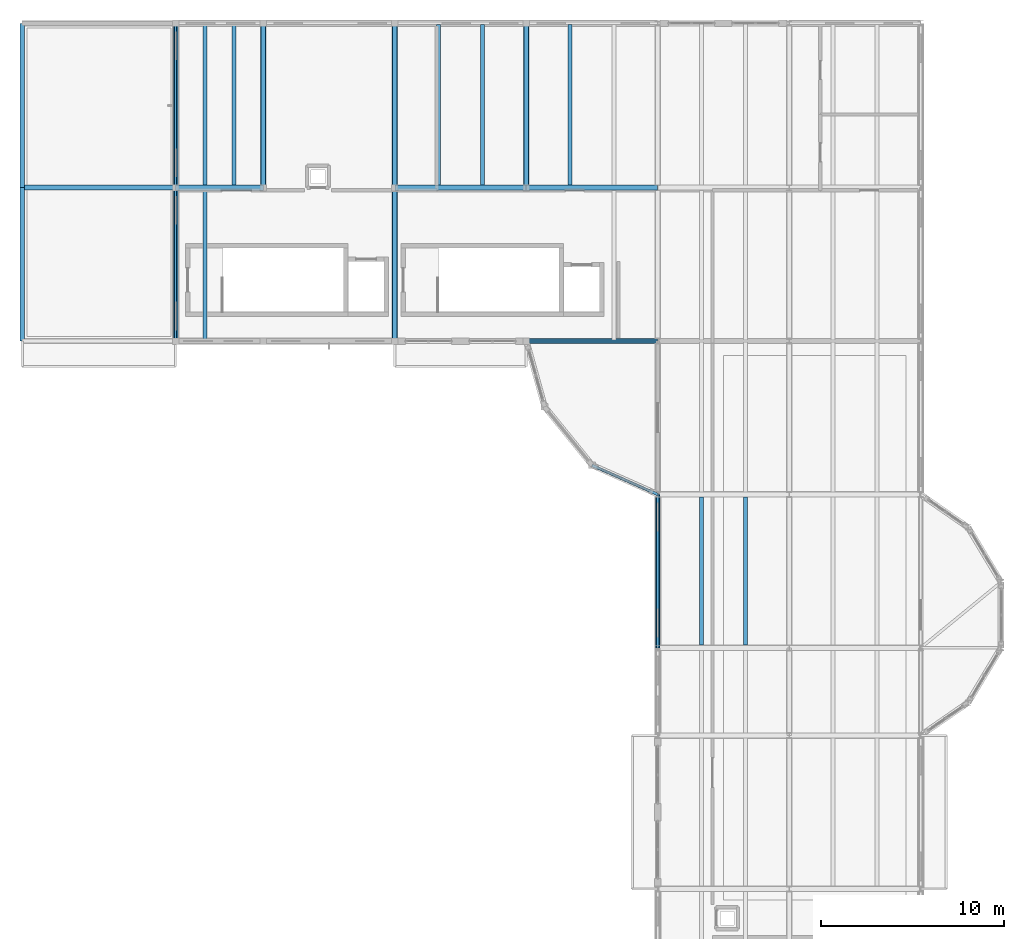
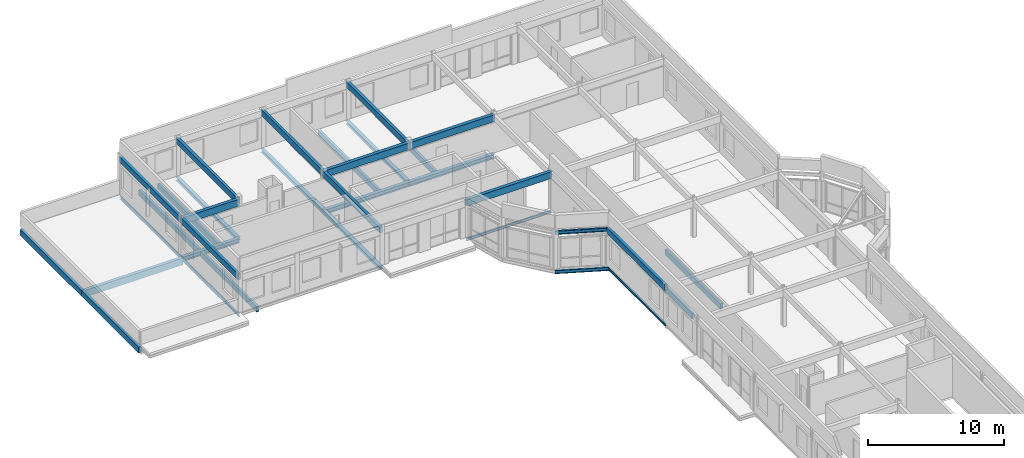
# One storey, part 10 of 21: 35 beams.
"""IFC4 building model written with IfcOpenShell, lengths in metres."""

from ifc_helpers import new_model, si_unit, direction, frame, origin, origin_2d, place, context, subcontext, project, spatial, rectangle, i_section, extrude, material, material_profile, profile_set, type_object, element, save


model = new_model("IFC4")

# Units and contexts
model_context = context("Model", 3, precision=1e-05, world=origin(), true_north=direction((0.0, 1.0)))
body_context = subcontext(model_context, "Body", "Model", "MODEL_VIEW")
ifc_project = project(units=[si_unit("LENGTHUNIT", "METRE"), si_unit("AREAUNIT", "SQUARE_METRE"), si_unit("VOLUMEUNIT", "CUBIC_METRE"), si_unit("PLANEANGLEUNIT", "RADIAN"), si_unit("MASSUNIT", "GRAM", prefix="KILO")], contexts=[model_context])

# Site, building, storey
site_placement = place(None, origin())
site = spatial("IfcSite", under=ifc_project, at=site_placement, CompositionType="ELEMENT")
building_placement = place(site_placement, origin())
building = spatial("IfcBuilding", under=site, at=building_placement, Name="Kahlenmark Community Centre", CompositionType="ELEMENT")
storey_placement = place(building_placement, frame((0.0, 0.0, 21.60009765625)))
storey = spatial("IfcBuildingStorey", under=building, at=storey_placement, Name="L05", CompositionType="ELEMENT", Elevation=21.60009765625)

# Beams
ifc_material_1 = material(Name="Glulam GL32h", Category="wood")
ifc_material_profile_1 = material_profile(ifc_material_1, rectangle(XDim=0.239990234375, YDim=0.52001953125, at=origin_2d()), Name="GL32h 240x520")
ifc_profile_set_1 = profile_set([ifc_material_profile_1], Name="Glulam GL32h")
beam_type_1 = type_object("IfcBeamType", Name="BT-BEAM-GL32h240x520", PredefinedType="BEAM", material=ifc_profile_set_1)
beam_1_placement = place(storey_placement, frame((37.60009765625, 97.60009765625, -0.5400390625), z_axis=(0.0, 1.0, 0.0), x_axis=(-1.0, 0.0, 0.0)))
element("IfcBeam", 1, at=beam_1_placement, inside=storey, type_object=beam_type_1, Name="L05 beam BG-RF520", PredefinedType="BEAM", context=body_context, shape_type="SweptSolid", body=[
    extrude(rectangle(XDim=0.239990234375, YDim=0.52001953125, at=origin_2d()), origin(), (0.0, 0.0, 1.0), 8.39990234375),
])
beam_2_placement = place(storey_placement, frame((37.60009765625, 106.0, -0.5400390625), z_axis=(0.0, 1.0, 0.0), x_axis=(-1.0, 0.0, 0.0)))
element("IfcBeam", 2, at=beam_2_placement, inside=storey, type_object=beam_type_1, Name="L05 beam BG-RF520", PredefinedType="BEAM", context=body_context, shape_type="SweptSolid", body=[
    extrude(rectangle(XDim=0.239990234375, YDim=0.52001953125, at=origin_2d()), origin(), (0.0, 0.0, 1.0), 9.0),
])
beam_3_placement = place(storey_placement, frame((46.0, 97.60009765625, 3.059814453125), z_axis=(0.0, 1.0, 0.0), x_axis=(-1.0, 0.0, 0.0)))
element("IfcBeam", 3, at=beam_3_placement, inside=storey, type_object=beam_type_1, Name="L05 beam BG-RF520", PredefinedType="BEAM", context=body_context, shape_type="SweptSolid", body=[
    extrude(rectangle(XDim=0.239990234375, YDim=0.52001953125, at=origin_2d()), origin(), (0.0, 0.0, 1.0), 8.39990234375),
])
for number, where, z_axis, x_axis, name in (
    (4, (46.0, 106.0, 3.059814453125), (0.0, 1.0, 0.0), (-1.0, 0.0, 0.0), "L05 beam BG-RF520"),
    (5, (50.800048828125, 106.0, 3.059814453125), (0.0, 1.0, 0.0), (-1.0, 0.0, 0.0), "L05 beam BG-RF520"),
):
    element("IfcBeam", number, at=place(storey_placement, frame(where, z_axis=z_axis, x_axis=x_axis)), inside=storey, type_object=beam_type_1, Name=name, PredefinedType="BEAM", context=body_context, shape_type="SweptSolid", body=[
        extrude(rectangle(XDim=0.239990234375, YDim=0.52001953125, at=origin_2d()), origin(), (0.0, 0.0, 1.0), 9.0),
    ])
beam_4_placement = place(storey_placement, frame((58.0, 97.60009765625, 3.059814453125), z_axis=(0.0, 1.0, 0.0), x_axis=(-1.0, 0.0, 0.0)))
element("IfcBeam", 6, at=beam_4_placement, inside=storey, type_object=beam_type_1, Name="L05 beam BG-RF520", PredefinedType="BEAM", context=body_context, shape_type="SweptSolid", body=[
    extrude(rectangle(XDim=0.239990234375, YDim=0.52001953125, at=origin_2d()), origin(), (0.0, 0.0, 1.0), 8.39990234375),
])
for number, where, z_axis, x_axis, name in (
    (7, (58.0, 106.0, 3.059814453125), (0.0, 1.0, 0.0), (-1.0, 0.0, 0.0), "L05 beam BG-RF520"),
    (8, (65.199951171875, 106.0, 3.059814453125), (0.0, 1.0, 0.0), (-1.0, 0.0, 0.0), "L05 beam BG-RF520"),
):
    element("IfcBeam", number, at=place(storey_placement, frame(where, z_axis=z_axis, x_axis=x_axis)), inside=storey, type_object=beam_type_1, Name=name, PredefinedType="BEAM", context=body_context, shape_type="SweptSolid", body=[
        extrude(rectangle(XDim=0.239990234375, YDim=0.52001953125, at=origin_2d()), origin(), (0.0, 0.0, 1.0), 9.0),
    ])
beam_5_placement = place(storey_placement, frame((72.39990234375, 80.800048828125, 3.059814453125), z_axis=(0.0, 1.0, 0.0), x_axis=(-1.0, 0.0, 0.0)))
element("IfcBeam", 9, at=beam_5_placement, inside=storey, type_object=beam_type_1, Name="L05 beam BG-RF520", PredefinedType="BEAM", context=body_context, shape_type="SweptSolid", body=[
    extrude(rectangle(XDim=0.239990234375, YDim=0.52001953125, at=origin_2d()), origin(), (0.0, 0.0, 1.0), 8.39990234375),
])
ifc_material_profile_2 = material_profile(ifc_material_1, rectangle(XDim=0.280029296875, YDim=0.60009765625, at=origin_2d()), Name="GL32h 280x600")
ifc_profile_set_2 = profile_set([ifc_material_profile_2], Name="Glulam GL32h")
beam_type_2 = type_object("IfcBeamType", Name="BT-BEAM-GL32h280x600", PredefinedType="BEAM", material=ifc_profile_set_2)
beam_6_placement = place(storey_placement, frame((37.60009765625, 106.0, -0.580078125), z_axis=(1.0, 0.0, 0.0), x_axis=(0.0, 1.0, 0.0)))
element("IfcBeam", 10, at=beam_6_placement, inside=storey, type_object=beam_type_2, Name="L05 beam BG-RF600", PredefinedType="BEAM", context=body_context, shape_type="SweptSolid", body=[
    extrude(rectangle(XDim=0.280029296875, YDim=0.60009765625, at=origin_2d()), origin(), (0.0, 0.0, 1.0), 8.39990234375),
])
beam_7_placement = place(storey_placement, frame((65.199951171875, 97.60009765625, 3.02001953125), z_axis=(1.0, 0.0, 0.0), x_axis=(0.0, 1.0, 0.0)))
element("IfcBeam", 11, at=beam_7_placement, inside=storey, type_object=beam_type_2, Name="L05 beam BG-RF600", PredefinedType="BEAM", context=body_context, shape_type="SweptSolid", body=[
    extrude(rectangle(XDim=0.280029296875, YDim=0.60009765625, at=origin_2d()), origin(), (0.0, 0.0, 1.0), 7.199951171875),
])
beam_8_placement = place(storey_placement, frame((46.0, 106.0, 3.02001953125), z_axis=(1.0, 0.0, 0.0), x_axis=(0.0, 1.0, 0.0)))
element("IfcBeam", 12, at=beam_8_placement, inside=storey, type_object=beam_type_2, Name="L05 beam BG-RF600", PredefinedType="BEAM", context=body_context, shape_type="SweptSolid", body=[
    extrude(rectangle(XDim=0.280029296875, YDim=0.60009765625, at=origin_2d()), origin(), (0.0, 0.0, 1.0), 4.800048828125),
])
for number, where, z_axis, x_axis, name in (
    (13, (58.0, 106.0, 3.02001953125), (1.0, 0.0, 0.0), (0.0, 1.0, 0.0), "L05 beam BG-RF600"),
    (14, (65.199951171875, 106.0, 3.02001953125), (1.0, 0.0, 0.0), (0.0, 1.0, 0.0), "L05 beam BG-RF600"),
):
    element("IfcBeam", number, at=place(storey_placement, frame(where, z_axis=z_axis, x_axis=x_axis)), inside=storey, type_object=beam_type_2, Name=name, PredefinedType="BEAM", context=body_context, shape_type="SweptSolid", body=[
        extrude(rectangle(XDim=0.280029296875, YDim=0.60009765625, at=origin_2d()), origin(), (0.0, 0.0, 1.0), 7.199951171875),
    ])
ifc_material_2 = material(Name="Steel S355", Category="steel")
ifc_material_profile_3 = material_profile(ifc_material_2, i_section(OverallWidth=0.300048828125, OverallDepth=0.2900390625, WebThickness=0.008544921875, FlangeThickness=0.013916015625, at=origin_2d()), Name="HEA 300")
ifc_profile_set_3 = profile_set([ifc_material_profile_3], Name="Steel S355")
beam_type_3 = type_object("IfcBeamType", Name="BT-BEAM-HEA300", PredefinedType="BEAM", material=ifc_profile_set_3)
beam_9_placement = place(storey_placement, frame((50.800048828125, 106.0, -0.34521484375), z_axis=(0.0, 1.0, 0.0), x_axis=(-1.0, 0.0, 0.0)))
element("IfcBeam", 15, at=beam_9_placement, inside=storey, type_object=beam_type_3, Name="L05 beam BG-HEA300", PredefinedType="BEAM", context=body_context, shape_type="SweptSolid", body=[
    extrude(i_section(OverallWidth=0.300048828125, OverallDepth=0.2900390625, WebThickness=0.008544921875, FlangeThickness=0.013916015625, at=origin_2d()), origin(), (0.0, 0.0, 1.0), 9.0),
])
beam_10_placement = place(storey_placement, frame((58.0, 97.60009765625, -0.34521484375), z_axis=(0.0, 1.0, 0.0), x_axis=(-1.0, 0.0, 0.0)))
element("IfcBeam", 16, at=beam_10_placement, inside=storey, type_object=beam_type_3, Name="L05 beam BG-HEA300", PredefinedType="BEAM", context=body_context, shape_type="SweptSolid", body=[
    extrude(i_section(OverallWidth=0.300048828125, OverallDepth=0.2900390625, WebThickness=0.008544921875, FlangeThickness=0.013916015625, at=origin_2d()), origin(), (0.0, 0.0, 1.0), 8.39990234375),
])
for number, where, z_axis, x_axis, name in (
    (17, (58.0, 106.0, -0.34521484375), (0.0, 1.0, 0.0), (-1.0, 0.0, 0.0), "L05 beam BG-HEA300"),
    (18, (65.199951171875, 106.0, -0.34521484375), (0.0, 1.0, 0.0), (-1.0, 0.0, 0.0), "L05 beam BG-HEA300"),
):
    element("IfcBeam", number, at=place(storey_placement, frame(where, z_axis=z_axis, x_axis=x_axis)), inside=storey, type_object=beam_type_3, Name=name, PredefinedType="BEAM", context=body_context, shape_type="SweptSolid", body=[
        extrude(i_section(OverallWidth=0.300048828125, OverallDepth=0.2900390625, WebThickness=0.008544921875, FlangeThickness=0.013916015625, at=origin_2d()), origin(), (0.0, 0.0, 1.0), 9.0),
    ])
ifc_material_profile_4 = material_profile(ifc_material_2, i_section(OverallWidth=0.300048828125, OverallDepth=0.389892578125, WebThickness=0.010986328125, FlangeThickness=0.01904296875, at=origin_2d()), Name="HEA 400")
ifc_profile_set_4 = profile_set([ifc_material_profile_4], Name="Steel S355")
beam_type_4 = type_object("IfcBeamType", Name="BT-BEAM-HEA400", PredefinedType="BEAM", material=ifc_profile_set_4)
beam_11_placement = place(storey_placement, frame((46.0, 106.0, -0.39501953125), z_axis=(1.0, 0.0, 0.0), x_axis=(0.0, 1.0, 0.0)))
element("IfcBeam", 19, at=beam_11_placement, inside=storey, type_object=beam_type_4, Name="L05 beam BG-HEA400", PredefinedType="BEAM", context=body_context, shape_type="SweptSolid", body=[
    extrude(i_section(OverallWidth=0.300048828125, OverallDepth=0.389892578125, WebThickness=0.010986328125, FlangeThickness=0.01904296875, at=origin_2d()), origin(), (0.0, 0.0, 1.0), 4.800048828125),
])
for number, where, z_axis, x_axis, name in (
    (20, (58.0, 106.0, -0.39501953125), (1.0, 0.0, 0.0), (0.0, 1.0, 0.0), "L05 beam BG-HEA400"),
    (21, (65.199951171875, 106.0, -0.39501953125), (1.0, 0.0, 0.0), (0.0, 1.0, 0.0), "L05 beam BG-HEA400"),
):
    element("IfcBeam", number, at=place(storey_placement, frame(where, z_axis=z_axis, x_axis=x_axis)), inside=storey, type_object=beam_type_4, Name=name, PredefinedType="BEAM", context=body_context, shape_type="SweptSolid", body=[
        extrude(i_section(OverallWidth=0.300048828125, OverallDepth=0.389892578125, WebThickness=0.010986328125, FlangeThickness=0.01904296875, at=origin_2d()), origin(), (0.0, 0.0, 1.0), 7.199951171875),
    ])
ifc_material_3 = material(Name="Glulam GL28h", Category="wood")
ifc_material_profile_5 = material_profile(ifc_material_3, rectangle(XDim=0.219970703125, YDim=0.47998046875, at=origin_2d()), Name="GL28h 220x480")
ifc_profile_set_5 = profile_set([ifc_material_profile_5], Name="Glulam GL28h")
beam_type_5 = type_object("IfcBeamType", Name="BT-JOIST-GL28h220x480", PredefinedType="JOIST", material=ifc_profile_set_5)
beam_12_placement = place(storey_placement, frame((47.60009765625, 97.657958984375, -0.440185546875), z_axis=(0.0, 1.0, 0.0), x_axis=(-1.0, 0.0, 0.0)))
element("IfcBeam", 22, at=beam_12_placement, inside=storey, type_object=beam_type_5, Name="L05 joist BJ-GL28h220x480", PredefinedType="JOIST", context=body_context, shape_type="SweptSolid", body=[
    extrude(rectangle(XDim=0.219970703125, YDim=0.47998046875, at=origin_2d()), origin(), (0.0, 0.0, 1.0), 8.194091796875),
])
for number, where, z_axis, x_axis, name in (
    (23, (47.60009765625, 106.14794921875, -0.440185546875), (0.0, 1.0, 0.0), (-1.0, 0.0, 0.0), "L05 joist BJ-GL28h220x480"),
    (24, (49.199951171875, 106.14794921875, -0.440185546875), (0.0, 1.0, 0.0), (-1.0, 0.0, 0.0), "L05 joist BJ-GL28h220x480"),
    (25, (60.39990234375, 106.14794921875, -0.440185546875), (0.0, 1.0, 0.0), (-1.0, 0.0, 0.0), "L05 joist BJ-GL28h220x480"),
    (26, (62.800048828125, 106.14794921875, -0.440185546875), (0.0, 1.0, 0.0), (-1.0, 0.0, 0.0), "L05 joist BJ-GL28h220x480"),
    (27, (67.60009765625, 106.14794921875, -0.440185546875), (0.0, 1.0, 0.0), (-1.0, 0.0, 0.0), "L05 joist BJ-GL28h220x480"),
):
    element("IfcBeam", number, at=place(storey_placement, frame(where, z_axis=z_axis, x_axis=x_axis)), inside=storey, type_object=beam_type_5, Name=name, PredefinedType="JOIST", context=body_context, shape_type="SweptSolid", body=[
        extrude(rectangle(XDim=0.219970703125, YDim=0.47998046875, at=origin_2d()), origin(), (0.0, 0.0, 1.0), 8.7939453125),
    ])
for number, where, z_axis, x_axis, name in (
    (28, (74.800048828125, 80.947998046875, -0.420166015625), (0.0, 1.0, 0.0), (-1.0, 0.0, 0.0), "L05 joist BJ-GL28h220x480"),
    (29, (77.199951171875, 80.947998046875, -0.420166015625), (0.0, 1.0, 0.0), (-1.0, 0.0, 0.0), "L05 joist BJ-GL28h220x480"),
):
    element("IfcBeam", number, at=place(storey_placement, frame(where, z_axis=z_axis, x_axis=x_axis)), inside=storey, type_object=beam_type_5, Name=name, PredefinedType="JOIST", context=body_context, shape_type="SweptSolid", body=[
        extrude(rectangle(XDim=0.219970703125, YDim=0.47998046875, at=origin_2d()), origin(), (0.0, 0.0, 1.0), 8.10400390625),
    ])
ifc_material_profile_6 = material_profile(ifc_material_2, i_section(OverallWidth=0.1201171875, OverallDepth=0.239990234375, WebThickness=0.006103515625, FlangeThickness=0.009765625, at=origin_2d()), Name="IPE 240")
ifc_profile_set_6 = profile_set([ifc_material_profile_6], Name="Steel S355")
beam_type_6 = type_object("IfcBeamType", Name="BT-SPANDREL-IPE240", PredefinedType="SPANDREL", material=ifc_profile_set_6)
beam_13_placement = place(storey_placement, frame((65.199951171875, 97.60009765625, -0.320068359375), z_axis=(1.0, 0.0, 0.0), x_axis=(0.0, 1.0, 0.0)))
element("IfcBeam", 30, at=beam_13_placement, inside=storey, type_object=beam_type_6, Name="L05 spandrel SP-IPE240", PredefinedType="SPANDREL", context=body_context, shape_type="SweptSolid", body=[
    extrude(i_section(OverallWidth=0.1201171875, OverallDepth=0.239990234375, WebThickness=0.006103515625, FlangeThickness=0.009765625, at=origin_2d()), origin(), (0.0, 0.0, 1.0), 7.199951171875),
])
beam_14_placement = place(storey_placement, frame((46.0, 97.60009765625, -0.400146484375), z_axis=(0.0, 1.0, 0.0), x_axis=(-1.0, 0.0, 0.0)))
element("IfcBeam", 31, at=beam_14_placement, inside=storey, type_object=beam_type_6, Name="L05 spandrel SP-IPE240", PredefinedType="SPANDREL", context=body_context, shape_type="SweptSolid", body=[
    extrude(i_section(OverallWidth=0.1201171875, OverallDepth=0.239990234375, WebThickness=0.006103515625, FlangeThickness=0.009765625, at=origin_2d()), origin(), (0.0, 0.0, 1.0), 8.39990234375),
])
beam_15_placement = place(storey_placement, frame((46.0, 106.0, -0.400146484375), z_axis=(0.0, 1.0, 0.0), x_axis=(-1.0, 0.0, 0.0)))
element("IfcBeam", 32, at=beam_15_placement, inside=storey, type_object=beam_type_6, Name="L05 spandrel SP-IPE240", PredefinedType="SPANDREL", context=body_context, shape_type="SweptSolid", body=[
    extrude(i_section(OverallWidth=0.1201171875, OverallDepth=0.239990234375, WebThickness=0.006103515625, FlangeThickness=0.009765625, at=origin_2d()), origin(), (0.0, 0.0, 1.0), 9.0),
])
beam_16_placement = place(storey_placement, frame((72.39990234375, 80.800048828125, -0.300048828125), z_axis=(0.0, 1.0, 0.0), x_axis=(-1.0, 0.0, 0.0)))
element("IfcBeam", 33, at=beam_16_placement, inside=storey, type_object=beam_type_6, Name="L05 spandrel SP-IPE240", PredefinedType="SPANDREL", context=body_context, shape_type="SweptSolid", body=[
    extrude(i_section(OverallWidth=0.1201171875, OverallDepth=0.239990234375, WebThickness=0.006103515625, FlangeThickness=0.009765625, at=origin_2d()), origin(), (0.0, 0.0, 1.0), 8.39990234375),
])
ifc_material_profile_7 = material_profile(ifc_material_2, i_section(OverallWidth=0.14990234375, OverallDepth=0.300048828125, WebThickness=0.007080078125, FlangeThickness=0.0107421875, at=origin_2d()), Name="IPE 300")
ifc_profile_set_7 = profile_set([ifc_material_profile_7], Name="Steel S355")
beam_type_7 = type_object("IfcBeamType", Name="BT-SPANDREL-IPE300", PredefinedType="SPANDREL", material=ifc_profile_set_7)
for number, where, z_axis, x_axis, name in (
    (34, (68.800048828125, 90.800048828125, -0.35009765625), (0.913796214371, -0.40617296636, 0.0), (0.40617296636, 0.913796214371, 0.0), "L05 spandrel SP-IPE300"),
    (35, (68.800048828125, 90.800048828125, 3.169921875), (0.913796214371, -0.40617296636, 0.0), (0.40617296636, 0.913796214371, 0.0), "L05 spandrel SP-IPE300"),
):
    element("IfcBeam", number, at=place(storey_placement, frame(where, z_axis=z_axis, x_axis=x_axis)), inside=storey, type_object=beam_type_7, Name=name, PredefinedType="SPANDREL", context=body_context, shape_type="SweptSolid", body=[
        extrude(i_section(OverallWidth=0.14990234375, OverallDepth=0.300048828125, WebThickness=0.007080078125, FlangeThickness=0.0107421875, at=origin_2d()), origin(), (0.0, 0.0, 1.0), 3.939453125),
    ])

save(model, "model.ifc")
